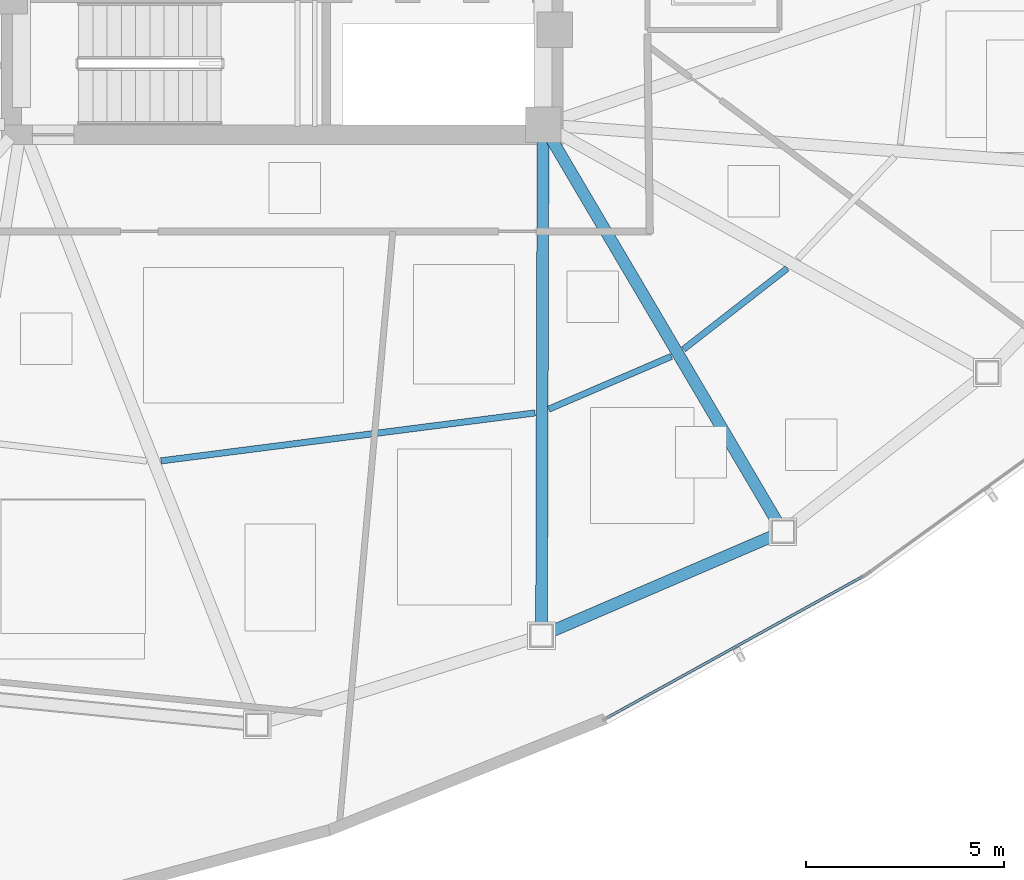
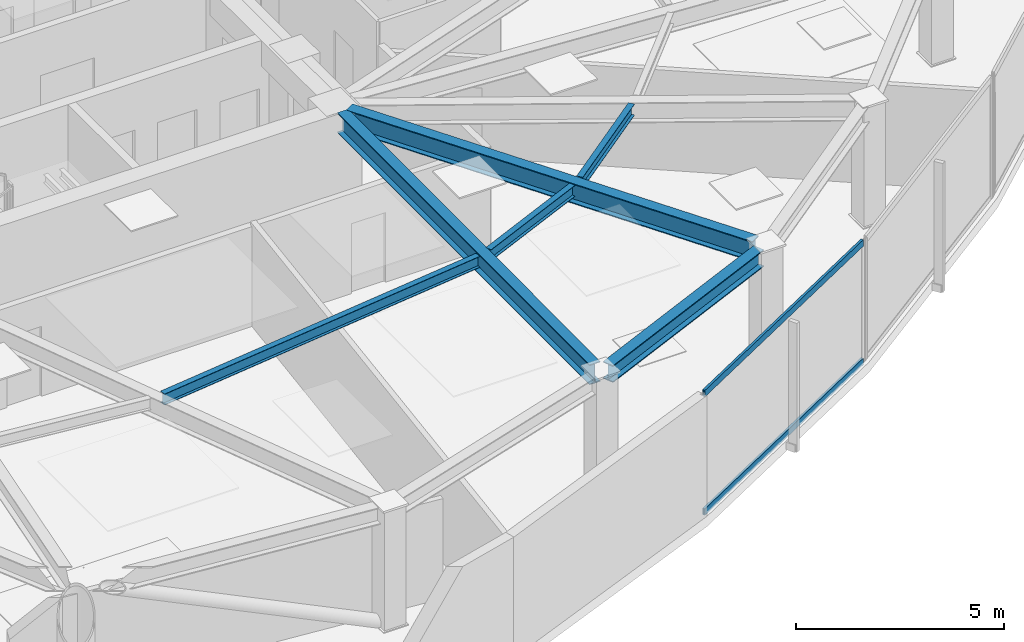
# One storey, part 3 of 17: 6 beams, 2 members, 1 element without a shape of its own.
"""IFC4 building model written with IfcOpenShell, lengths in metres."""

from ifc_helpers import new_model, si_unit, direction, frame, origin, origin_2d, place, context, subcontext, project, spatial, hollow_rectangle, i_section, extrude, source, transform, mapped, material, layer, layer_set, material_profile, profile_set, type_object, type_shapes, element, aggregate, save


model = new_model("IFC4")

# Units and contexts
model_context = context("Model", 3, precision=1e-05, world=origin(), true_north=direction((0.0, 1.0)))
body_context = subcontext(model_context, "Body", "Model", "MODEL_VIEW")
ifc_project = project(units=[si_unit("LENGTHUNIT", "METRE"), si_unit("AREAUNIT", "SQUARE_METRE"), si_unit("VOLUMEUNIT", "CUBIC_METRE"), si_unit("PLANEANGLEUNIT", "RADIAN"), si_unit("MASSUNIT", "GRAM", prefix="KILO")], contexts=[model_context])

# Site, building, storey
site_placement = place(None, origin())
site = spatial("IfcSite", under=ifc_project, at=site_placement, CompositionType="ELEMENT")
building_placement = place(site_placement, origin())
building = spatial("IfcBuilding", under=site, at=building_placement, Name="Tavelor Broadcast Tower", CompositionType="ELEMENT")
storey_placement = place(building_placement, frame((0.0, 0.0, 169.5)))
storey = spatial("IfcBuildingStorey", under=building, at=storey_placement, Name="L40", CompositionType="ELEMENT", Elevation=169.5)

# Beams
ifc_material_1 = material(Name="Steel S355", Category="steel")
ifc_material_profile_1 = material_profile(ifc_material_1, i_section(OverallWidth=0.159912109375, OverallDepth=0.330078125, WebThickness=0.007568359375, FlangeThickness=0.011474609375, at=origin_2d()), Name="IPE 330")
ifc_profile_set_1 = profile_set([ifc_material_profile_1], Name="Steel S355")
beam_type_1 = type_object("IfcBeamType", Name="Composite Floor Joist T4 IPE 330", PredefinedType="JOIST", material=ifc_profile_set_1)
beam_1_placement = place(storey_placement, frame((46.931396484375, 30.294921875, 3.385009765625), z_axis=(0.991879761862, 0.127179157129, 0.0), x_axis=(-0.127179157129, 0.991879761862, 0.0)))
element("IfcBeam", 1, at=beam_1_placement, inside=storey, type_object=beam_type_1, Name="L40 Secondary Composite Floor Joist 08", PredefinedType="JOIST", context=body_context, shape_type="SweptSolid", body=[
    extrude(i_section(OverallWidth=0.159912109375, OverallDepth=0.330078125, WebThickness=0.007568359375, FlangeThickness=0.011474609375, at=origin_2d()), origin(), (0.0, 0.0, 1.0), 9.54443359375),
])
beam_2_placement = place(storey_placement, frame((56.744384765625, 31.603515625, 3.385009765625), z_axis=(0.918692008618, 0.394974674254, 0.0), x_axis=(-0.394974674254, 0.918692008618, 0.0)))
element("IfcBeam", 2, at=beam_2_placement, inside=storey, type_object=beam_type_1, Name="L40 Secondary Composite Floor Joist 09", PredefinedType="JOIST", context=body_context, shape_type="SweptSolid", body=[
    extrude(i_section(OverallWidth=0.159912109375, OverallDepth=0.330078125, WebThickness=0.007568359375, FlangeThickness=0.011474609375, at=origin_2d()), origin(), (0.0, 0.0, 1.0), 3.37744140625),
])
beam_3_placement = place(storey_placement, frame((60.156005859375, 33.120361328125, 3.385009765625), z_axis=(0.788651848012, 0.614840030112, 0.0), x_axis=(-0.614840030112, 0.788651848012, 0.0)))
element("IfcBeam", 3, at=beam_3_placement, inside=storey, type_object=beam_type_1, Name="L40 Secondary Composite Floor Joist 10", PredefinedType="JOIST", context=body_context, shape_type="SweptSolid", body=[
    extrude(i_section(OverallWidth=0.159912109375, OverallDepth=0.330078125, WebThickness=0.007568359375, FlangeThickness=0.011474609375, at=origin_2d()), origin(), (0.0, 0.0, 1.0), 3.32470703125),
])
ifc_material_profile_2 = material_profile(ifc_material_1, i_section(OverallWidth=0.300048828125, OverallDepth=0.5, WebThickness=0.014404296875, FlangeThickness=0.028076171875, at=origin_2d()), Name="HEB 500")
ifc_profile_set_2 = profile_set([ifc_material_profile_2], Name="Steel S355")
beam_type_2 = type_object("IfcBeamType", Name="Perimeter Spandrel Beam T4 HEB 500", PredefinedType="SPANDREL", material=ifc_profile_set_2)
beam_4_placement = place(storey_placement, frame((56.825439453125, 25.98681640625, 3.300048828125), z_axis=(0.91846180915, 0.395509677672, 0.0), x_axis=(-0.395509677672, 0.91846180915, 0.0)))
element("IfcBeam", 4, at=beam_4_placement, inside=storey, type_object=beam_type_2, Name="L40 Framed-Tube Ring Spandrel 09", PredefinedType="SPANDREL", context=body_context, shape_type="SweptSolid", body=[
    extrude(i_section(OverallWidth=0.300048828125, OverallDepth=0.5, WebThickness=0.014404296875, FlangeThickness=0.028076171875, at=origin_2d()), origin(), (0.0, 0.0, 1.0), 6.07470703125),
])
ifc_material_profile_3 = material_profile(ifc_material_1, i_section(OverallWidth=0.300048828125, OverallDepth=0.590087890625, WebThickness=0.012939453125, FlangeThickness=0.02490234375, at=origin_2d()), Name="HEA 600")
ifc_profile_set_3 = profile_set([ifc_material_profile_3], Name="Steel S355")
beam_type_3 = type_object("IfcBeamType", Name="Radial Floor Girder T4 HEA 600", PredefinedType="BEAM", material=ifc_profile_set_3)
beam_5_placement = place(storey_placement, frame((56.5986328125, 38.367919921875, 3.2548828125), z_axis=(-0.0029999865, -0.99999550003, 0.0), x_axis=(0.99999550003, -0.0029999865, 0.0)))
element("IfcBeam", 5, at=beam_5_placement, inside=storey, type_object=beam_type_3, Name="L40 Radial Primary Floor Girder 09", PredefinedType="BEAM", context=body_context, shape_type="SweptSolid", body=[
    extrude(i_section(OverallWidth=0.300048828125, OverallDepth=0.590087890625, WebThickness=0.012939453125, FlangeThickness=0.02490234375, at=origin_2d()), origin(), (0.0, 0.0, 1.0), 12.20703125),
])
beam_6_placement = place(storey_placement, frame((56.8193359375, 38.427734375, 3.2548828125), z_axis=(0.50778362975, -0.861484640233, 0.0), x_axis=(0.861484640233, 0.50778362975, 0.0)))
element("IfcBeam", 6, at=beam_6_placement, inside=storey, type_object=beam_type_3, Name="L40 Radial Primary Floor Girder 10", PredefinedType="BEAM", context=body_context, shape_type="SweptSolid", body=[
    extrude(i_section(OverallWidth=0.300048828125, OverallDepth=0.590087890625, WebThickness=0.012939453125, FlangeThickness=0.02490234375, at=origin_2d()), origin(), (0.0, 0.0, 1.0), 11.232421875),
])

# Curtain wall, members
ifc_material_2 = material(Name="Architectural Anodized Aluminium", Category="aluminium")
ifc_layer = layer(ifc_material_2, 0.18994140625)
ifc_layer_set = layer_set([ifc_layer], Name="Architectural Anodized Aluminium")
curtain_wall_type = type_object("IfcCurtainWallType", Name="Tower Mid-Zone Acoustic Curtain Wall CW03", PredefinedType="NOTDEFINED", material=ifc_layer_set)
curtain_wall_placement = place(storey_placement, origin())
curtain_wall = element("IfcCurtainWall", 7, at=curtain_wall_placement, inside=storey, type_object=curtain_wall_type, Name="L40 Curtain Wall CW03 Run 425", PredefinedType="NOTDEFINED")
ifc_material_profile_4 = material_profile(ifc_material_2, hollow_rectangle(XDim=0.068115234375, YDim=0.18994140625, WallThickness=0.02197265625, at=origin_2d()), Name="RHS 68x190x22")
ifc_profile_set_4 = profile_set([ifc_material_profile_4], Name="Architectural Anodized Aluminium")
member_type = type_object("IfcMemberType", Name="CW03 Extruded Aluminium Transom 68x190", PredefinedType="USERDEFINED", material=ifc_profile_set_4)
shared_shape = source(origin(), body_context, "Body", "SweptSolid", [
    extrude(hollow_rectangle(XDim=0.068115234375, YDim=0.18994140625, WallThickness=0.02197265625, at=origin_2d()), origin(), (0.0, 0.0, 1.0), 7.387451171875),
])
type_shapes(member_type, [shared_shape])
member_1_placement = place(storey_placement, frame((58.224365234375, 23.797119140625, 0.033935546875), z_axis=(0.875254053217, 0.483663459781, 0.0), x_axis=(-0.483663459781, 0.875254053217, 0.0)))
member_1 = element("IfcMember", 8, at=member_1_placement, type_object=member_type, Name="CW03 transom 1.1", ObjectType="TRANSOM", PredefinedType="USERDEFINED", context=body_context, shape_type="MappedRepresentation", body=[
    mapped(shared_shape, transform((0.0, 0.0, 0.0), scale=1.0)),
])
member_2_placement = place(storey_placement, frame((58.224365234375, 23.797119140625, 3.51611328125), z_axis=(0.875254053217, 0.483663459781, 0.0), x_axis=(-0.483663459781, 0.875254053217, 0.0)))
member_2 = element("IfcMember", 9, at=member_2_placement, type_object=member_type, Name="CW03 transom 1.2", ObjectType="TRANSOM", PredefinedType="USERDEFINED", context=body_context, shape_type="MappedRepresentation", body=[
    mapped(shared_shape, transform((0.0, 0.0, 0.0), scale=1.0)),
])
aggregate(curtain_wall, [member_1, member_2])

save(model, "model.ifc")
